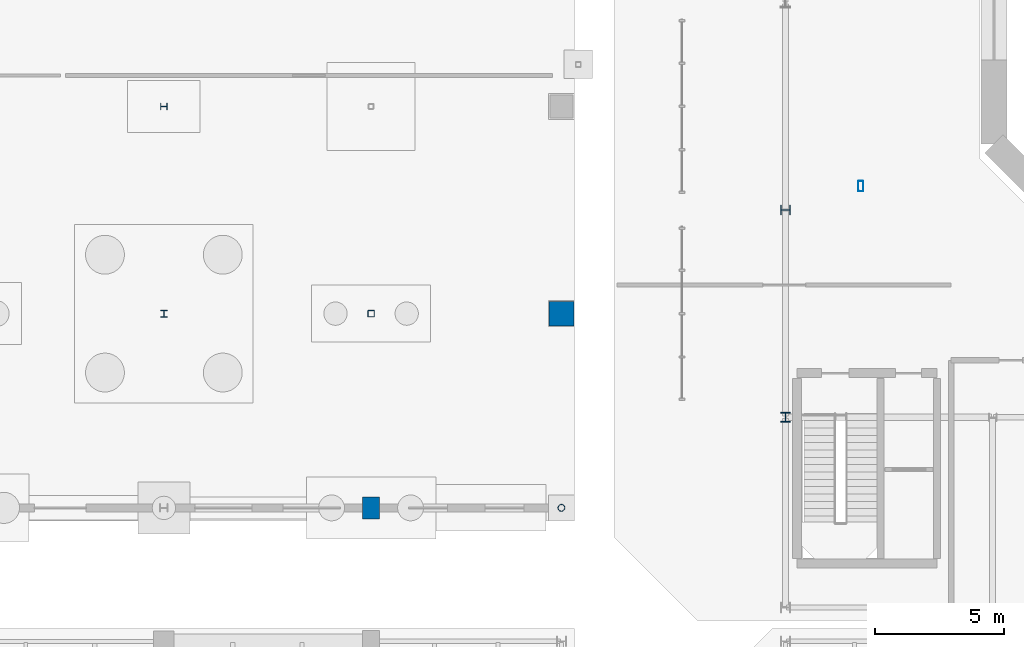
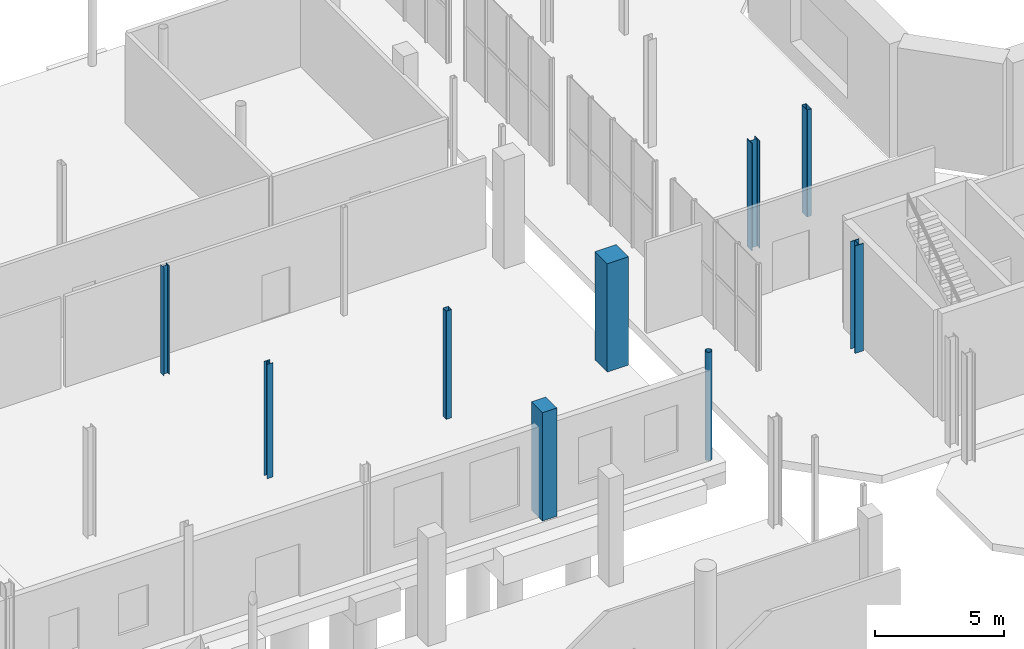
# One storey, part 10 of 87: 9 columns.
"""IFC4 building model written with IfcOpenShell, lengths in metres."""

from ifc_helpers import new_model, si_unit, direction, frame, origin, origin_2d, place, context, subcontext, project, spatial, rectangle, hollow_rectangle, hollow_circle, i_section, extrude, material, material_profile, profile_set, type_object, element, save


model = new_model("IFC4")

# Units and contexts
model_context = context("Model", 3, precision=1e-05, world=origin(), true_north=direction((0.0, 1.0)))
body_context = subcontext(model_context, "Body", "Model", "MODEL_VIEW")
ifc_project = project(units=[si_unit("LENGTHUNIT", "METRE"), si_unit("AREAUNIT", "SQUARE_METRE"), si_unit("VOLUMEUNIT", "CUBIC_METRE"), si_unit("PLANEANGLEUNIT", "RADIAN"), si_unit("MASSUNIT", "GRAM", prefix="KILO")], contexts=[model_context])

# Site, building, storey
site_placement = place(None, origin())
site = spatial("IfcSite", under=ifc_project, at=site_placement, CompositionType="ELEMENT")
building_placement = place(site_placement, origin())
building = spatial("IfcBuilding", under=site, at=building_placement, Name="Brisemont Oceanarium", CompositionType="ELEMENT")
storey_placement = place(building_placement, origin())
storey = spatial("IfcBuildingStorey", under=building, at=storey_placement, Name="L00", CompositionType="ELEMENT", Elevation=0.0)

# Columns
ifc_material_1 = material(Name="Structural Steel ASTM A500 Gr.C", Category="steel")
ifc_material_profile_1 = material_profile(ifc_material_1, hollow_circle(Radius=0.136474609375, WallThickness=0.01171875, at=origin_2d()), Name="HSS10.750X0.500")
ifc_profile_set_1 = profile_set([ifc_material_profile_1], Name="Structural Steel ASTM A500 Gr.C")
column_type_1 = type_object("IfcColumnType", Name="COL-CHS10", PredefinedType="COLUMN", material=ifc_profile_set_1)
column_1_placement = place(storey_placement, frame((55.35009765625, 36.5, 0.0), z_axis=(0.0, 0.0, 1.0), x_axis=(0.0, 1.0, 0.0)))
element("IfcColumn", 1, at=column_1_placement, inside=storey, type_object=column_type_1, Name="V5W L00 column (5,0)", PredefinedType="COLUMN", context=body_context, shape_type="SweptSolid", body=[
    extrude(hollow_circle(Radius=0.136474609375, WallThickness=0.01171875, at=origin_2d()), origin(), (0.0, 0.0, 1.0), 5.1201171875),
])
ifc_material_2 = material(Name="Structural Steel ASTM A500 Gr.C", Category="steel")
ifc_material_profile_2 = material_profile(ifc_material_2, hollow_rectangle(XDim=0.25390625, YDim=0.25390625, WallThickness=0.01171875, InnerFilletRadius=0.01220703125, OuterFilletRadius=0.02392578125, at=origin_2d()), Name="HSS10X10X1/2")
ifc_profile_set_2 = profile_set([ifc_material_profile_2], Name="Structural Steel ASTM A500 Gr.C")
column_type_2 = type_object("IfcColumnType", Name="COL-HSS10X10", PredefinedType="COLUMN", material=ifc_profile_set_2)
column_2_placement = place(storey_placement, frame((48.0, 44.0, 0.0), z_axis=(0.0, 0.0, 1.0), x_axis=(0.0, 1.0, 0.0)))
element("IfcColumn", 2, at=column_2_placement, inside=storey, type_object=column_type_2, Name="V5W L00 column (4,1)", PredefinedType="COLUMN", context=body_context, shape_type="SweptSolid", body=[
    extrude(hollow_rectangle(XDim=0.25390625, YDim=0.25390625, WallThickness=0.01171875, InnerFilletRadius=0.01220703125, OuterFilletRadius=0.02392578125, at=origin_2d()), origin(), (0.0, 0.0, 1.0), 5.1201171875),
])
ifc_material_3 = material(Name="Structural Steel ASTM A500 Gr.C", Category="steel")
ifc_material_profile_3 = material_profile(ifc_material_3, hollow_rectangle(XDim=0.202880859375, YDim=0.406005859375, WallThickness=0.01171875, InnerFilletRadius=0.01220703125, OuterFilletRadius=0.02392578125, at=origin_2d()), Name="HSS16X8X1/2")
ifc_profile_set_3 = profile_set([ifc_material_profile_3], Name="Structural Steel ASTM A500 Gr.C")
column_type_3 = type_object("IfcColumnType", Name="COL-HSS16X8", PredefinedType="COLUMN", material=ifc_profile_set_3)
column_3_placement = place(storey_placement, frame((66.908203125, 48.92041015625, 0.0), z_axis=(0.0, 0.0, 1.0), x_axis=(1.0, 0.0, 0.0)))
element("IfcColumn", 3, at=column_3_placement, inside=storey, type_object=column_type_3, Name="V1 dome drum pier L00.5", PredefinedType="COLUMN", context=body_context, shape_type="SweptSolid", body=[
    extrude(hollow_rectangle(XDim=0.202880859375, YDim=0.406005859375, WallThickness=0.01171875, InnerFilletRadius=0.01220703125, OuterFilletRadius=0.02392578125, at=origin_2d()), origin(), (0.0, 0.0, 1.0), 5.06005859375),
])
ifc_material_4 = material(Name="Concrete C40/50", Category="concrete")
ifc_material_profile_4 = material_profile(ifc_material_4, rectangle(XDim=0.949951171875, YDim=0.949951171875, at=origin_2d()), Name="RC-COL-950X950")
ifc_profile_set_4 = profile_set([ifc_material_profile_4], Name="Concrete C40/50")
column_type_4 = type_object("IfcColumnType", Name="COL-RC950", PredefinedType="COLUMN", material=ifc_profile_set_4)
column_4_placement = place(storey_placement, frame((55.35009765625, 44.0, 0.0), z_axis=(0.0, 0.0, 1.0), x_axis=(1.0, 0.0, 0.0)))
element("IfcColumn", 4, at=column_4_placement, inside=storey, type_object=column_type_4, Name="V5W L00 column (5,1)", PredefinedType="COLUMN", context=body_context, shape_type="SweptSolid", body=[
    extrude(rectangle(XDim=0.949951171875, YDim=0.949951171875, at=origin_2d()), origin(), (0.0, 0.0, 1.0), 5.1201171875),
])
ifc_material_5 = material(Name="Structural Steel ASTM A992 Gr.50", Category="steel")
ifc_material_profile_5 = material_profile(ifc_material_5, i_section(OverallWidth=0.25390625, OverallDepth=0.25390625, WebThickness=0.008544921875, FlangeThickness=0.01416015625, FilletRadius=0.010986328125, at=origin_2d()), Name="W10X49")
ifc_profile_set_5 = profile_set([ifc_material_profile_5], Name="Structural Steel ASTM A992 Gr.50")
column_type_5 = type_object("IfcColumnType", Name="COL-W10X49", PredefinedType="COLUMN", material=ifc_profile_set_5)
column_5_placement = place(storey_placement, frame((40.0, 52.0, 0.0), z_axis=(0.0, 0.0, 1.0), x_axis=(0.0, 1.0, 0.0)))
element("IfcColumn", 5, at=column_5_placement, inside=storey, type_object=column_type_5, Name="V5W L00 column (3,2)", PredefinedType="COLUMN", context=body_context, shape_type="SweptSolid", body=[
    extrude(i_section(OverallWidth=0.25390625, OverallDepth=0.25390625, WebThickness=0.008544921875, FlangeThickness=0.01416015625, FilletRadius=0.010986328125, at=origin_2d()), origin(), (0.0, 0.0, 1.0), 5.1201171875),
])
ifc_material_6 = material(Name="Structural Steel ASTM A992 Gr.50", Category="steel")
ifc_material_profile_6 = material_profile(ifc_material_6, i_section(OverallWidth=0.256103515625, OverallDepth=0.260009765625, WebThickness=0.0107421875, FlangeThickness=0.017333984375, FilletRadius=0.010986328125, at=origin_2d()), Name="W10X60")
ifc_profile_set_6 = profile_set([ifc_material_profile_6], Name="Structural Steel ASTM A992 Gr.50")
column_type_6 = type_object("IfcColumnType", Name="COL-W10X60", PredefinedType="COLUMN", material=ifc_profile_set_6)
column_6_placement = place(storey_placement, frame((40.0, 44.0, 0.0), z_axis=(0.0, 0.0, 1.0), x_axis=(1.0, 0.0, 0.0)))
element("IfcColumn", 6, at=column_6_placement, inside=storey, type_object=column_type_6, Name="V5W L00 column (3,1)", PredefinedType="COLUMN", context=body_context, shape_type="SweptSolid", body=[
    extrude(i_section(OverallWidth=0.256103515625, OverallDepth=0.260009765625, WebThickness=0.0107421875, FlangeThickness=0.017333984375, FilletRadius=0.010986328125, at=origin_2d()), origin(), (0.0, 0.0, 1.0), 5.39990234375),
])
ifc_material_7 = material(Name="Structural Steel ASTM A992 Gr.50", Category="steel")
ifc_material_profile_7 = material_profile(ifc_material_7, i_section(OverallWidth=0.373046875, OverallDepth=0.367919921875, WebThickness=0.014892578125, FlangeThickness=0.02392578125, FilletRadius=0.014892578125, at=origin_2d()), Name="W14X120")
ifc_profile_set_7 = profile_set([ifc_material_profile_7], Name="Structural Steel ASTM A992 Gr.50")
column_type_7 = type_object("IfcColumnType", Name="COL-W14X120", PredefinedType="COLUMN", material=ifc_profile_set_7)
column_7_placement = place(storey_placement, frame((64.0, 48.0, 0.0), z_axis=(0.0, 0.0, 1.0), x_axis=(0.0, 1.0, 0.0)))
element("IfcColumn", 7, at=column_7_placement, inside=storey, type_object=column_type_7, Name="V1 L00 column (1,2)", PredefinedType="COLUMN", context=body_context, shape_type="SweptSolid", body=[
    extrude(i_section(OverallWidth=0.373046875, OverallDepth=0.367919921875, WebThickness=0.014892578125, FlangeThickness=0.02392578125, FilletRadius=0.014892578125, at=origin_2d()), origin(), (0.0, 0.0, 1.0), 5.080078125),
])
ifc_material_8 = material(Name="Structural Steel ASTM A992 Gr.50", Category="steel")
ifc_material_profile_8 = material_profile(ifc_material_8, i_section(OverallWidth=0.3740234375, OverallDepth=0.3720703125, WebThickness=0.016357421875, FlangeThickness=0.026123046875, FilletRadius=0.014892578125, at=origin_2d()), Name="W14X132")
ifc_profile_set_8 = profile_set([ifc_material_profile_8], Name="Structural Steel ASTM A992 Gr.50")
column_type_8 = type_object("IfcColumnType", Name="COL-W14X132", PredefinedType="COLUMN", material=ifc_profile_set_8)
column_8_placement = place(storey_placement, frame((64.0, 40.0, 0.0), z_axis=(0.0, 0.0, 1.0), x_axis=(1.0, 0.0, 0.0)))
element("IfcColumn", 8, at=column_8_placement, inside=storey, type_object=column_type_8, Name="V1 L00 column (1,1)", PredefinedType="COLUMN", context=body_context, shape_type="SweptSolid", body=[
    extrude(i_section(OverallWidth=0.3740234375, OverallDepth=0.3720703125, WebThickness=0.016357421875, FlangeThickness=0.026123046875, FilletRadius=0.014892578125, at=origin_2d()), origin(), (0.0, 0.0, 1.0), 5.080078125),
])
ifc_material_9 = material(Name="Precast Concrete C40/50", Category="concrete")
ifc_material_profile_9 = material_profile(ifc_material_9, rectangle(XDim=0.64990234375, YDim=0.85009765625, at=origin_2d()), Name="RC-PIL-650X850")
ifc_profile_set_9 = profile_set([ifc_material_profile_9], Name="Precast Concrete C40/50")
column_type_9 = type_object("IfcColumnType", Name="PIL-RC650X850", PredefinedType="PILASTER", material=ifc_profile_set_9)
column_9_placement = place(storey_placement, frame((48.0, 36.5, 0.0), z_axis=(0.0, 0.0, 1.0), x_axis=(1.0, 0.0, 0.0)))
element("IfcColumn", 9, at=column_9_placement, inside=storey, type_object=column_type_9, Name="V5W L00 column (4,0)", PredefinedType="PILASTER", context=body_context, shape_type="SweptSolid", body=[
    extrude(rectangle(XDim=0.64990234375, YDim=0.85009765625, at=origin_2d()), origin(), (0.0, 0.0, 1.0), 5.1201171875),
])

save(model, "model.ifc")
